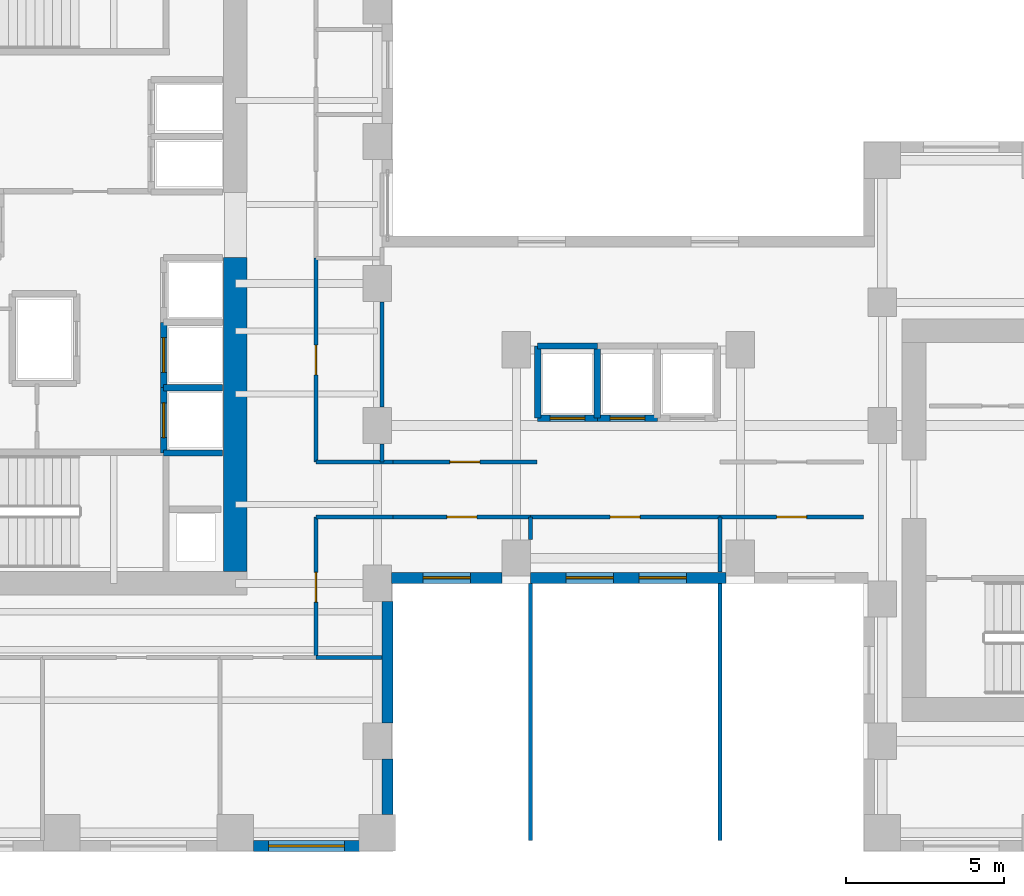
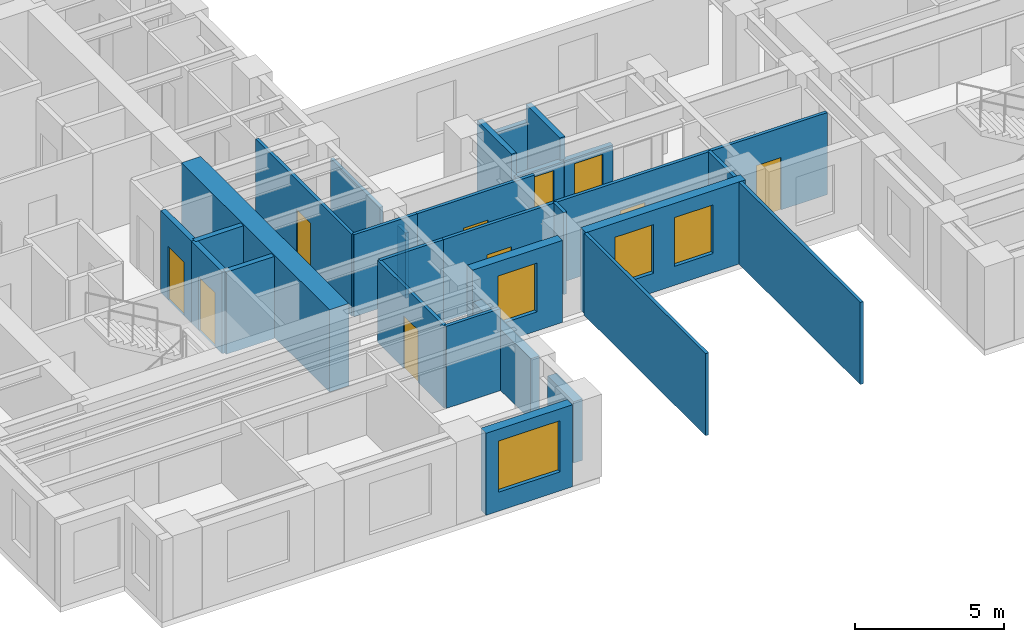
# One storey, part 6 of 13: 30 walls, 10 doors, 4 windows, 14 openings.
"""IFC4 building model written with IfcOpenShell, lengths in metres."""

import ifcopenshell
import ifcopenshell.guid

model = None  # the IFC model being written
_history = None  # IfcOwnerHistory: only IFC2X3 demands one
_inside = {}  # id of a spatial element -> (the spatial element, [elements in it])
_under = {}  # id of a project, library or spatial element -> (it, [spatial elements below it])
_declared = {}  # id of a project -> (the project, [libraries it declares])
_typed = {}  # id of a type object -> (the type object, [elements of that type])
_made_of = {}  # id of a material, layer set ... -> (it, [elements and type objects made of it])


def new_model(schema):
    """Start an empty IFC model of exactly this schema.

    Asked for "IFC4X3", IfcOpenShell would pick the latest addendum, in which some entities
    have other attributes; the version numbers below select the first issue.
    IFC2X3 requires an IfcOwnerHistory on every rooted entity: one is made here for all.
    """
    global model, _history
    if schema == "IFC4X3":
        model = ifcopenshell.file(schema_version=(4, 3, 0, 0))
    else:
        model = ifcopenshell.file(schema=schema)
    _inside.clear()
    _under.clear()
    _declared.clear()
    _typed.clear()
    _made_of.clear()
    _history = None
    if model.schema == "IFC2X3":
        org = make("IfcOrganization", Name="unknown")
        user = make(
            "IfcPersonAndOrganization",
            ThePerson=make("IfcPerson", FamilyName="unknown"),
            TheOrganization=org,
        )
        app = make(
            "IfcApplication",
            ApplicationDeveloper=org,
            Version="unknown",
            ApplicationFullName="unknown",
            ApplicationIdentifier="unknown",
        )
        _history = make(
            "IfcOwnerHistory",
            OwningUser=user,
            OwningApplication=app,
            ChangeAction="ADDED",
            CreationDate=0,
        )
    return model


def make(cls, **values):
    """One entity of the class cls with the attributes given. An attribute that is None is left unset."""
    return model.create_entity(
        cls, **{name: value for name, value in values.items() if value is not None}
    )


def rooted(cls, **values):
    """An entity with a GlobalId (a new one), such as an element, a storey or a relation."""
    return make(cls, GlobalId=ifcopenshell.guid.new(), OwnerHistory=_history, **values)


def si_unit(unit_type, name, prefix=None):
    """IfcSIUnit, for example si_unit("LENGTHUNIT", "METRE", prefix="MILLI")."""
    return make("IfcSIUnit", UnitType=unit_type, Prefix=prefix, Name=name)


def assignment(units):
    """IfcUnitAssignment: the units of a project."""
    return None if units is None else make("IfcUnitAssignment", Units=units)


def point(xyz):
    """IfcCartesianPoint."""
    return None if xyz is None else make("IfcCartesianPoint", Coordinates=xyz)


def direction(xyz):
    """IfcDirection."""
    return None if xyz is None else make("IfcDirection", DirectionRatios=xyz)


def frame(location, z_axis=None, x_axis=None):
    """IfcAxis2Placement3D, a coordinate frame: its origin and axes. An axis left out is left unset."""
    return make(
        "IfcAxis2Placement3D",
        Location=point(location),
        Axis=direction(z_axis),
        RefDirection=direction(x_axis),
    )


def frame_2d(location, x_axis=None):
    """IfcAxis2Placement2D, a coordinate frame in the plane: its origin and x axis."""
    return make(
        "IfcAxis2Placement2D", Location=point(location), RefDirection=direction(x_axis)
    )


def origin():
    """The frame at (0, 0, 0) with its axes left unset."""
    return frame((0.0, 0.0, 0.0))


def place(relative_to, where):
    """IfcLocalPlacement: puts the frame where relative to a parent placement (None: the world)."""
    return make(
        "IfcLocalPlacement", PlacementRelTo=relative_to, RelativePlacement=where
    )


def context(
    kind, dimensions, precision=None, world=None, true_north=None, identifier=None
):
    """IfcGeometricRepresentationContext, for example the 3D "Model" context."""
    return make(
        "IfcGeometricRepresentationContext",
        ContextIdentifier=identifier,
        ContextType=kind,
        CoordinateSpaceDimension=dimensions,
        Precision=precision,
        WorldCoordinateSystem=world,
        TrueNorth=true_north,
    )


def subcontext(parent, identifier, kind, view, scale=None):
    """IfcGeometricRepresentationSubContext, for example "Body" below "Model"."""
    return make(
        "IfcGeometricRepresentationSubContext",
        ContextIdentifier=identifier,
        ContextType=kind,
        ParentContext=parent,
        TargetScale=scale,
        TargetView=view,
    )


def project(units=None, contexts=None):
    """IfcProject with its units and contexts."""
    return rooted(
        "IfcProject",
        Name="project",
        RepresentationContexts=contexts,
        UnitsInContext=assignment(units),
    )


def spatial(cls, under=None, at=None, **own):
    """A site, building, storey or space (cls), placed at a placement, below another one or the project."""
    s = rooted(cls, ObjectPlacement=at, **own)
    if under is not None:
        _under.setdefault(under.id(), (under, []))[1].append(s)
    return s


def profile(cls, at=None, kind="AREA", **sizes):
    """A parametric profile (cls). Its sizes go by their IFC names, for example OverallWidth=200.0."""
    return make(cls, ProfileType=kind, Position=at, **sizes)


def rectangle(**sizes):
    """IfcRectangleProfileDef."""
    return profile("IfcRectangleProfileDef", **sizes)


def extrude(swept, where, along, depth):
    """IfcExtrudedAreaSolid: the profile swept, set in the frame where, extruded along a direction by depth."""
    return make(
        "IfcExtrudedAreaSolid",
        SweptArea=swept,
        Position=where,
        ExtrudedDirection=direction(along),
        Depth=depth,
    )


def shape(context_of_items, identifier, shape_type, items):
    """IfcShapeRepresentation: the items that make up one representation, for example the "Body"."""
    return make(
        "IfcShapeRepresentation",
        ContextOfItems=context_of_items,
        RepresentationIdentifier=identifier,
        RepresentationType=shape_type,
        Items=items,
    )


def source(mapping_origin, context_of_items, identifier, shape_type, items):
    """IfcRepresentationMap: a shape defined once, which mapped items show again and again."""
    return make(
        "IfcRepresentationMap",
        MappingOrigin=mapping_origin,
        MappedRepresentation=shape(context_of_items, identifier, shape_type, items),
    )


def transform(
    local_origin,
    x_axis=None,
    y_axis=None,
    z_axis=None,
    scale=None,
    scale2=None,
    scale3=None,
    uniform=True,
):
    """IfcCartesianTransformationOperator3D, or its non-uniform kind. x_axis, y_axis, z_axis: its Axis1, 2, 3."""
    if uniform:
        return make(
            "IfcCartesianTransformationOperator3D",
            Axis1=direction(x_axis),
            Axis2=direction(y_axis),
            LocalOrigin=point(local_origin),
            Scale=scale,
            Axis3=direction(z_axis),
        )
    return make(
        "IfcCartesianTransformationOperator3DnonUniform",
        Axis1=direction(x_axis),
        Axis2=direction(y_axis),
        LocalOrigin=point(local_origin),
        Scale=scale,
        Axis3=direction(z_axis),
        Scale2=scale2,
        Scale3=scale3,
    )


def mapped(mapping_source, mapping_target):
    """IfcMappedItem: shows the shape of a source again, moved by a transform."""
    return make(
        "IfcMappedItem", MappingSource=mapping_source, MappingTarget=mapping_target
    )


def material(Name=None, Category=None):
    """IfcMaterial."""
    return make("IfcMaterial", Name=Name, Category=Category)


def layer(
    of_material, thickness, ventilated=None, Name=None, Category=None, Priority=None
):
    """IfcMaterialLayer: one layer of a wall or slab, of a material (None: an air gap)."""
    return make(
        "IfcMaterialLayer",
        Material=of_material,
        LayerThickness=thickness,
        IsVentilated=ventilated,
        Name=Name,
        Category=Category,
        Priority=Priority,
    )


def layer_set(layers, Name=None):
    """IfcMaterialLayerSet."""
    return make("IfcMaterialLayerSet", MaterialLayers=layers, LayerSetName=Name)


def made_of(thing, what):
    """Note that an element or type object is made of a material, layer set ...; save() writes the relation."""
    if what is not None:
        _made_of.setdefault(what.id(), (what, []))[1].append(thing)
    return thing


def type_object(cls, material=None, **own):
    """A type object (cls), such as IfcWallType, which elements share."""
    return made_of(rooted(cls, **own), material)


def element(
    cls,
    number,
    at=None,
    inside=None,
    cuts=None,
    type_object=None,
    material=None,
    context=None,
    identifier="Body",
    shape_type=None,
    held_by="IfcProductDefinitionShape",
    body=None,
    shapes=None,
    **own,
):
    """One element of the class cls, such as IfcWall. Its Tag is "e" and its number.

    at: its placement. inside: the storey or other place that contains it. cuts: it is an
    opening in that element (IfcRelVoidsElement). A single representation is given by context,
    identifier, shape_type and body (its items); several are given by shapes. held_by: the class
    of the entity that holds the representations. save() writes the other relations.
    """
    e = rooted(cls, Tag="e%d" % number, ObjectPlacement=at, **own)
    if body is not None:
        shapes = [shape(context, identifier, shape_type, body)]
    if shapes is not None:
        e.Representation = make(held_by, Representations=shapes)
    if inside is not None:
        _inside.setdefault(inside.id(), (inside, []))[1].append(e)
    if cuts is not None:
        rooted(
            "IfcRelVoidsElement", RelatingBuildingElement=cuts, RelatedOpeningElement=e
        )
    if type_object is not None:
        _typed.setdefault(type_object.id(), (type_object, []))[1].append(e)
    return made_of(e, material)


def fill(opening, filler):
    """IfcRelFillsElement: the door or window that sits in an opening."""
    return rooted(
        "IfcRelFillsElement",
        RelatingOpeningElement=opening,
        RelatedBuildingElement=filler,
    )


def aggregate(whole, parts):
    """IfcRelAggregates: a whole, such as a stair, and the parts it consists of."""
    return rooted("IfcRelAggregates", RelatingObject=whole, RelatedObjects=parts)


def save(model, path):
    """Write the relations noted so far, then the file.

    IfcRelAggregates (storeys below a building ...), IfcRelContainedInSpatialStructure (elements
    in a storey), IfcRelDefinesByType, IfcRelAssociatesMaterial and IfcRelDeclares: one each for
    every whole, place, type object, material and project.
    """
    for whole, parts in _under.values():
        aggregate(whole, parts)
    for where, things in _inside.values():
        rooted(
            "IfcRelContainedInSpatialStructure",
            RelatedElements=things,
            RelatingStructure=where,
        )
    for kind, things in _typed.values():
        rooted("IfcRelDefinesByType", RelatedObjects=things, RelatingType=kind)
    for what, things in _made_of.values():
        rooted("IfcRelAssociatesMaterial", RelatedObjects=things, RelatingMaterial=what)
    for by, libraries in _declared.values():
        rooted("IfcRelDeclares", RelatingContext=by, RelatedDefinitions=libraries)
    model.write(path)


model = new_model("IFC4")

# Units and contexts
model_context = context("Model", 3, precision=1e-05, world=origin(), true_north=direction((0.0, 1.0)))
body_context = subcontext(model_context, "Body", "Model", "MODEL_VIEW")
ifc_project = project(units=[si_unit("LENGTHUNIT", "METRE"), si_unit("AREAUNIT", "SQUARE_METRE"), si_unit("VOLUMEUNIT", "CUBIC_METRE"), si_unit("PLANEANGLEUNIT", "RADIAN"), si_unit("MASSUNIT", "GRAM", prefix="KILO")], contexts=[model_context])

# Site, building, storey
site_placement = place(None, origin())
site = spatial("IfcSite", under=ifc_project, at=site_placement, CompositionType="ELEMENT")
building_placement = place(site_placement, origin())
building = spatial("IfcBuilding", under=site, at=building_placement, Name="Kharzan Plaza Tower", CompositionType="ELEMENT")
storey_placement = place(building_placement, frame((0.0, 0.0, 95.39990234375)))
storey = spatial("IfcBuildingStorey", under=building, at=storey_placement, Name="L25", CompositionType="ELEMENT", Elevation=95.39990234375)

# Wall, opening, window
ifc_material_1 = material(Name="Concrete C40/50", Category="concrete")
ifc_layer_1 = layer(ifc_material_1, 0.35009765625)
ifc_layer_set_1 = layer_set([ifc_layer_1], Name="Concrete C40/50")
wall_type_1 = type_object("IfcWallType", Name="WL-EXT-MAS-Z2", PredefinedType="SOLIDWALL", material=ifc_layer_set_1)
wall_1_placement = place(storey_placement, frame((15.072998046875, 0.175048828125, 0.0), z_axis=(0.0, 0.0, 1.0), x_axis=(1.0, 0.0, 0.0)))
wall_1 = element("IfcWall", 1, at=wall_1_placement, inside=storey, type_object=wall_type_1, Name="L25 Masonry-Frame Exterior Wall 31", PredefinedType="SOLIDWALL", context=body_context, shape_type="SweptSolid", body=[
    extrude(rectangle(XDim=3.35400390625, YDim=0.35009765625, at=frame_2d((1.677001953125, 0.0))), origin(), (0.0, 0.0, 1.0), 3.364990234375),
])
opening_1_placement = place(wall_1_placement, frame((0.47705078125, 0.0, 0.780029296875)))
opening_1 = element("IfcOpeningElement", 2, at=opening_1_placement, cuts=wall_1, Name="Opening W2", PredefinedType="OPENING", context=body_context, shape_type="SweptSolid", body=[
    extrude(rectangle(XDim=2.39990234375, YDim=2.10009765625, at=frame_2d((1.199951171875, 1.050048828125))), frame((0.0, 0.18505859375, 0.0), z_axis=(0.0, -1.0, 0.0), x_axis=(1.0, 0.0, 0.0)), (0.0, 0.0, 1.0), 0.3701171875),
])
ifc_material_2 = material(Name="Low-E Double Glazing", Category="glass")
window_type_1 = type_object("IfcWindowType", Name="WN-REC-2400x2100", PartitioningType="SINGLE_PANEL", PredefinedType="WINDOW", material=ifc_material_2)
shared_shape_1 = source(origin(), body_context, "Body", "SweptSolid", [
    extrude(rectangle(XDim=2.39990234375, YDim=2.10009765625, at=frame_2d((1.199951171875, 1.050048828125))), frame((0.0, 0.030029296875, 0.0), z_axis=(0.0, -1.0, 0.0), x_axis=(1.0, 0.0, 0.0)), (0.0, 0.0, 1.0), 0.06005859375),
])
window_1_placement = place(opening_1_placement, origin())
window_1 = element("IfcWindow", 3, at=window_1_placement, inside=storey, type_object=window_type_1, Name="L25 Wide Recessed Solar-Control Window 31-1", OverallHeight=2.10009765625, OverallWidth=2.39990234375, PartitioningType="SINGLE_PANEL", PredefinedType="WINDOW", context=body_context, shape_type="MappedRepresentation", body=[
    mapped(shared_shape_1, transform((0.0, 0.0, 0.0), x_axis=(1.0, 0.0, 0.0), y_axis=(0.0, 1.0, 0.0), z_axis=(0.0, 0.0, 1.0))),
])
fill(opening_1, window_1)

wall_2_placement = place(storey_placement, frame((19.447998046875, 8.675048828125, 0.0), z_axis=(0.0, 0.0, 1.0), x_axis=(1.0, 0.0, 0.0)))
wall_2 = element("IfcWall", 4, at=wall_2_placement, inside=storey, type_object=wall_type_1, Name="L25 Masonry-Frame Exterior Wall 34", PredefinedType="SOLIDWALL", context=body_context, shape_type="SweptSolid", body=[
    extrude(rectangle(XDim=3.50390625, YDim=0.35009765625, at=frame_2d((1.751953125, 0.0))), origin(), (0.0, 0.0, 1.0), 3.364990234375),
])
opening_2_placement = place(wall_2_placement, frame((1.001953125, 0.0, 0.780029296875)))
opening_2 = element("IfcOpeningElement", 5, at=opening_2_placement, cuts=wall_2, Name="Opening W5", PredefinedType="OPENING", context=body_context, shape_type="SweptSolid", body=[
    extrude(rectangle(XDim=1.5, YDim=2.0, at=frame_2d((0.75, 1.0))), frame((0.0, 0.18505859375, 0.0), z_axis=(0.0, -1.0, 0.0), x_axis=(1.0, 0.0, 0.0)), (0.0, 0.0, 1.0), 0.3701171875),
])
window_type_2 = type_object("IfcWindowType", Name="WN-SLT-1500x2000", PartitioningType="SINGLE_PANEL", PredefinedType="WINDOW", material=ifc_material_2)
shared_shape_2 = source(origin(), body_context, "Body", "SweptSolid", [
    extrude(rectangle(XDim=1.5, YDim=2.0, at=frame_2d((0.75, 1.0))), frame((0.0, 0.030029296875, 0.0), z_axis=(0.0, -1.0, 0.0), x_axis=(1.0, 0.0, 0.0)), (0.0, 0.0, 1.0), 0.06005859375),
])
window_2_placement = place(opening_2_placement, origin())
window_2 = element("IfcWindow", 6, at=window_2_placement, inside=storey, type_object=window_type_2, Name="L25 Recessed Solar-Control Window 34-1", OverallHeight=2.0, OverallWidth=1.5, PartitioningType="SINGLE_PANEL", PredefinedType="WINDOW", context=body_context, shape_type="MappedRepresentation", body=[
    mapped(shared_shape_2, transform((0.0, 0.0, 0.0), x_axis=(1.0, 0.0, 0.0), y_axis=(0.0, 1.0, 0.0), z_axis=(0.0, 0.0, 1.0))),
])
fill(opening_2, window_2)

# Wall, openings, windows
wall_3_placement = place(storey_placement, frame((23.847900390625, 8.675048828125, 0.0), z_axis=(0.0, 0.0, 1.0), x_axis=(1.0, 0.0, 0.0)))
wall_3 = element("IfcWall", 7, at=wall_3_placement, inside=storey, type_object=wall_type_1, Name="L25 Masonry-Frame Exterior Wall 35", PredefinedType="SOLIDWALL", context=body_context, shape_type="SweptSolid", body=[
    extrude(rectangle(XDim=6.2041015625, YDim=0.35009765625, at=frame_2d((3.10205078125, 0.0))), origin(), (0.0, 0.0, 1.0), 3.364990234375),
])
opening_3_placement = place(wall_3_placement, frame((1.130615234375, 0.0, 0.780029296875)))
opening_3 = element("IfcOpeningElement", 8, at=opening_3_placement, cuts=wall_3, Name="Opening W5", PredefinedType="OPENING", context=body_context, shape_type="SweptSolid", body=[
    extrude(rectangle(XDim=1.5, YDim=2.0, at=frame_2d((0.75, 1.0))), frame((0.0, 0.18505859375, 0.0), z_axis=(0.0, -1.0, 0.0), x_axis=(1.0, 0.0, 0.0)), (0.0, 0.0, 1.0), 0.3701171875),
])
opening_4_placement = place(wall_3_placement, frame((3.44140625, 0.0, 0.780029296875)))
opening_4 = element("IfcOpeningElement", 9, at=opening_4_placement, cuts=wall_3, Name="Opening W5", PredefinedType="OPENING", context=body_context, shape_type="SweptSolid", body=[
    extrude(rectangle(XDim=1.5, YDim=2.0, at=frame_2d((0.75, 1.0))), frame((0.0, 0.18505859375, 0.0), z_axis=(0.0, -1.0, 0.0), x_axis=(1.0, 0.0, 0.0)), (0.0, 0.0, 1.0), 0.3701171875),
])
window_3_placement = place(opening_3_placement, origin())
window_3 = element("IfcWindow", 10, at=window_3_placement, inside=storey, type_object=window_type_2, Name="L25 Recessed Solar-Control Window 35-1", OverallHeight=2.0, OverallWidth=1.5, PartitioningType="SINGLE_PANEL", PredefinedType="WINDOW", context=body_context, shape_type="MappedRepresentation", body=[
    mapped(shared_shape_2, transform((0.0, 0.0, 0.0), x_axis=(1.0, 0.0, 0.0), y_axis=(0.0, 1.0, 0.0), z_axis=(0.0, 0.0, 1.0))),
])
fill(opening_3, window_3)
window_4_placement = place(opening_4_placement, origin())
window_4 = element("IfcWindow", 11, at=window_4_placement, inside=storey, type_object=window_type_2, Name="L25 Recessed Solar-Control Window 35-2", OverallHeight=2.0, OverallWidth=1.5, PartitioningType="SINGLE_PANEL", PredefinedType="WINDOW", context=body_context, shape_type="MappedRepresentation", body=[
    mapped(shared_shape_2, transform((0.0, 0.0, 0.0), x_axis=(1.0, 0.0, 0.0), y_axis=(0.0, 1.0, 0.0), z_axis=(0.0, 0.0, 1.0))),
])
fill(opening_4, window_4)

# Wall, opening, door
ifc_material_3 = material(Name="Fire-Rated Gypsum Board Partition", Category="gypsum")
ifc_layer_2 = layer(ifc_material_3, 0.125)
ifc_layer_set_2 = layer_set([ifc_layer_2], Name="Fire-Rated Gypsum Board Partition")
wall_type_2 = type_object("IfcWallType", Name="WL-INT-PART-125", PredefinedType="PARTITIONING", material=ifc_layer_set_2)
wall_4_placement = place(storey_placement, frame((17.050048828125, 12.35009765625, 0.0), z_axis=(0.0, 0.0, 1.0), x_axis=(0.0, 1.0, 0.0)))
wall_4 = element("IfcWall", 12, at=wall_4_placement, inside=storey, type_object=wall_type_2, Name="L25 Interior Partition SH-AEWN1", PredefinedType="PARTITIONING", context=body_context, shape_type="SweptSolid", body=[
    extrude(rectangle(XDim=6.449951171875, YDim=0.125, at=frame_2d((3.22509765625, 0.0))), origin(), (0.0, 0.0, 1.0), 3.364990234375),
])
opening_5_placement = place(wall_4_placement, frame((2.75, 0.0, 0.0)))
opening_5 = element("IfcOpeningElement", 13, at=opening_5_placement, cuts=wall_4, Name="Opening OD1", PredefinedType="OPENING", context=body_context, shape_type="SweptSolid", body=[
    extrude(rectangle(XDim=0.949951171875, YDim=2.14990234375, at=frame_2d((0.47509765625, 1.074951171875))), frame((0.0, 0.072509765625, 0.0), z_axis=(0.0, -1.0, 0.0), x_axis=(1.0, 0.0, 0.0)), (0.0, 0.0, 1.0), 0.14501953125),
])
ifc_material_4 = material(Name="Acoustic Solid-Core Stained Oak", Category="timber")
door_type_1 = type_object("IfcDoorType", Name="DR-OFF-SINGLE", OperationType="NOTDEFINED", PredefinedType="DOOR", material=ifc_material_4)
shared_shape_3 = source(origin(), body_context, "Body", "SweptSolid", [
    extrude(rectangle(XDim=0.949951171875, YDim=2.14990234375, at=frame_2d((0.47509765625, 1.074951171875))), frame((0.0, 0.02490234375, 0.0), z_axis=(0.0, -1.0, 0.0), x_axis=(1.0, 0.0, 0.0)), (0.0, 0.0, 1.0), 0.050048828125),
])
door_1_placement = place(opening_5_placement, origin())
door_1 = element("IfcDoor", 14, at=door_1_placement, inside=storey, type_object=door_type_1, Name="L25 Slot Collaboration Door", OperationType="SINGLE_SWING_RIGHT", OverallHeight=2.14990234375, OverallWidth=0.949951171875, PredefinedType="DOOR", context=body_context, shape_type="MappedRepresentation", body=[
    mapped(shared_shape_3, transform((0.0, 0.0, 0.0), x_axis=(1.0, 0.0, 0.0), y_axis=(0.0, 1.0, 0.0), z_axis=(0.0, 0.0, 1.0))),
])
fill(opening_5, door_1)

wall_5_placement = place(storey_placement, frame((17.050048828125, 6.14990234375, 0.0), z_axis=(0.0, 0.0, 1.0), x_axis=(0.0, 1.0, 0.0)))
wall_5 = element("IfcWall", 15, at=wall_5_placement, inside=storey, type_object=wall_type_2, Name="L25 Interior Partition SH-AEWS", PredefinedType="PARTITIONING", context=body_context, shape_type="SweptSolid", body=[
    extrude(rectangle(XDim=4.4501953125, YDim=0.125, at=frame_2d((2.22509765625, 0.0))), origin(), (0.0, 0.0, 1.0), 3.364990234375),
])
opening_6_placement = place(wall_5_placement, frame((1.75, 0.0, 0.0)))
opening_6 = element("IfcOpeningElement", 16, at=opening_6_placement, cuts=wall_5, Name="Opening OD1", PredefinedType="OPENING", context=body_context, shape_type="SweptSolid", body=[
    extrude(rectangle(XDim=0.949951171875, YDim=2.14990234375, at=frame_2d((0.47509765625, 1.074951171875))), frame((0.0, 0.072509765625, 0.0), z_axis=(0.0, -1.0, 0.0), x_axis=(1.0, 0.0, 0.0)), (0.0, 0.0, 1.0), 0.14501953125),
])
door_2_placement = place(opening_6_placement, origin())
door_2 = element("IfcDoor", 17, at=door_2_placement, inside=storey, type_object=door_type_1, Name="L25 Slot South Office Door", OperationType="SINGLE_SWING_LEFT", OverallHeight=2.14990234375, OverallWidth=0.949951171875, PredefinedType="DOOR", context=body_context, shape_type="MappedRepresentation", body=[
    mapped(shared_shape_3, transform((0.0, 0.0, 0.0), x_axis=(1.0, 0.0, 0.0), y_axis=(0.0, 1.0, 0.0), z_axis=(0.0, 0.0, 1.0))),
])
fill(opening_6, door_2)

wall_6_placement = place(storey_placement, frame((19.5, 12.35009765625, 0.0), z_axis=(0.0, 0.0, 1.0), x_axis=(1.0, 0.0, 0.0)))
wall_6 = element("IfcWall", 18, at=wall_6_placement, inside=storey, type_object=wall_type_2, Name="L25 Interior Partition SH-SPNW1", PredefinedType="PARTITIONING", context=body_context, shape_type="SweptSolid", body=[
    extrude(rectangle(XDim=4.550048828125, YDim=0.125, at=frame_2d((2.27490234375, 0.0))), origin(), (0.0, 0.0, 1.0), 3.364990234375),
])
opening_7_placement = place(wall_6_placement, frame((1.800048828125, 0.0, 0.0)))
opening_7 = element("IfcOpeningElement", 19, at=opening_7_placement, cuts=wall_6, Name="Opening OD1", PredefinedType="OPENING", context=body_context, shape_type="SweptSolid", body=[
    extrude(rectangle(XDim=0.949951171875, YDim=2.14990234375, at=frame_2d((0.47509765625, 1.074951171875))), frame((0.0, 0.072509765625, 0.0), z_axis=(0.0, -1.0, 0.0), x_axis=(1.0, 0.0, 0.0)), (0.0, 0.0, 1.0), 0.14501953125),
])
door_3_placement = place(opening_7_placement, origin())
door_3 = element("IfcDoor", 20, at=door_3_placement, inside=storey, type_object=door_type_1, Name="L25 North-West Spine Door", OperationType="SINGLE_SWING_LEFT", OverallHeight=2.14990234375, OverallWidth=0.949951171875, PredefinedType="DOOR", context=body_context, shape_type="MappedRepresentation", body=[
    mapped(shared_shape_3, transform((0.0, 0.0, 0.0), x_axis=(1.0, 0.0, 0.0), y_axis=(0.0, 1.0, 0.0), z_axis=(0.0, 0.0, 1.0))),
])
fill(opening_7, door_3)

wall_7_placement = place(storey_placement, frame((19.5, 10.60009765625, 0.0), z_axis=(0.0, 0.0, 1.0), x_axis=(1.0, 0.0, 0.0)))
wall_7 = element("IfcWall", 21, at=wall_7_placement, inside=storey, type_object=wall_type_2, Name="L25 Interior Partition SH-SPS1", PredefinedType="PARTITIONING", context=body_context, shape_type="SweptSolid", body=[
    extrude(rectangle(XDim=4.35009765625, YDim=0.125, at=frame_2d((2.175048828125, 0.0))), origin(), (0.0, 0.0, 1.0), 3.364990234375),
])
opening_8_placement = place(wall_7_placement, frame((1.699951171875, 0.0, 0.0)))
opening_8 = element("IfcOpeningElement", 22, at=opening_8_placement, cuts=wall_7, Name="Opening OD1", PredefinedType="OPENING", context=body_context, shape_type="SweptSolid", body=[
    extrude(rectangle(XDim=0.949951171875, YDim=2.14990234375, at=frame_2d((0.47509765625, 1.074951171875))), frame((0.0, 0.072509765625, 0.0), z_axis=(0.0, -1.0, 0.0), x_axis=(1.0, 0.0, 0.0)), (0.0, 0.0, 1.0), 0.14501953125),
])
door_4_placement = place(opening_8_placement, origin())
door_4 = element("IfcDoor", 23, at=door_4_placement, inside=storey, type_object=door_type_1, Name="L25 Spine Studio 1 Door", OperationType="SINGLE_SWING_RIGHT", OverallHeight=2.14990234375, OverallWidth=0.949951171875, PredefinedType="DOOR", context=body_context, shape_type="MappedRepresentation", body=[
    mapped(shared_shape_3, transform((0.0, 0.0, 0.0), x_axis=(1.0, 0.0, 0.0), y_axis=(0.0, 1.0, 0.0), z_axis=(0.0, 0.0, 1.0))),
])
fill(opening_8, door_4)

wall_8_placement = place(storey_placement, frame((23.85009765625, 10.60009765625, 0.0), z_axis=(0.0, 0.0, 1.0), x_axis=(1.0, 0.0, 0.0)))
wall_8 = element("IfcWall", 24, at=wall_8_placement, inside=storey, type_object=wall_type_2, Name="L25 Interior Partition SH-SPS2", PredefinedType="PARTITIONING", context=body_context, shape_type="SweptSolid", body=[
    extrude(rectangle(XDim=6.0, YDim=0.125, at=frame_2d((3.0, 0.0))), origin(), (0.0, 0.0, 1.0), 3.364990234375),
])
opening_9_placement = place(wall_8_placement, frame((2.52490234375, 0.0, 0.0)))
opening_9 = element("IfcOpeningElement", 25, at=opening_9_placement, cuts=wall_8, Name="Opening OD1", PredefinedType="OPENING", context=body_context, shape_type="SweptSolid", body=[
    extrude(rectangle(XDim=0.949951171875, YDim=2.14990234375, at=frame_2d((0.47509765625, 1.074951171875))), frame((0.0, 0.072509765625, 0.0), z_axis=(0.0, -1.0, 0.0), x_axis=(1.0, 0.0, 0.0)), (0.0, 0.0, 1.0), 0.14501953125),
])
door_5_placement = place(opening_9_placement, origin())
door_5 = element("IfcDoor", 26, at=door_5_placement, inside=storey, type_object=door_type_1, Name="L25 Spine Studio 2 Door", OperationType="SINGLE_SWING_LEFT", OverallHeight=2.14990234375, OverallWidth=0.949951171875, PredefinedType="DOOR", context=body_context, shape_type="MappedRepresentation", body=[
    mapped(shared_shape_3, transform((0.0, 0.0, 0.0), x_axis=(1.0, 0.0, 0.0), y_axis=(0.0, 1.0, 0.0), z_axis=(0.0, 0.0, 1.0))),
])
fill(opening_9, door_5)

wall_9_placement = place(storey_placement, frame((29.85009765625, 10.60009765625, 0.0), z_axis=(0.0, 0.0, 1.0), x_axis=(1.0, 0.0, 0.0)))
wall_9 = element("IfcWall", 27, at=wall_9_placement, inside=storey, type_object=wall_type_2, Name="L25 Interior Partition SH-SPS3", PredefinedType="PARTITIONING", context=body_context, shape_type="SweptSolid", body=[
    extrude(rectangle(XDim=4.5498046875, YDim=0.125, at=frame_2d((2.27490234375, 0.0))), origin(), (0.0, 0.0, 1.0), 3.364990234375),
])
opening_10_placement = place(wall_9_placement, frame((1.800048828125, 0.0, 0.0)))
opening_10 = element("IfcOpeningElement", 28, at=opening_10_placement, cuts=wall_9, Name="Opening OD1", PredefinedType="OPENING", context=body_context, shape_type="SweptSolid", body=[
    extrude(rectangle(XDim=0.949951171875, YDim=2.14990234375, at=frame_2d((0.47509765625, 1.074951171875))), frame((0.0, 0.072509765625, 0.0), z_axis=(0.0, -1.0, 0.0), x_axis=(1.0, 0.0, 0.0)), (0.0, 0.0, 1.0), 0.14501953125),
])
door_6_placement = place(opening_10_placement, origin())
door_6 = element("IfcDoor", 29, at=door_6_placement, inside=storey, type_object=door_type_1, Name="L25 Spine Studio 3 Door", OperationType="SINGLE_SWING_RIGHT", OverallHeight=2.14990234375, OverallWidth=0.949951171875, PredefinedType="DOOR", context=body_context, shape_type="MappedRepresentation", body=[
    mapped(shared_shape_3, transform((0.0, 0.0, 0.0), x_axis=(1.0, 0.0, 0.0), y_axis=(0.0, 1.0, 0.0), z_axis=(0.0, 0.0, 1.0))),
])
fill(opening_10, door_6)

ifc_layer_3 = layer(ifc_material_1, 0.199951171875)
ifc_layer_set_3 = layer_set([ifc_layer_3], Name="Concrete C40/50")
wall_type_3 = type_object("IfcWallType", Name="WL-INT-SHAFT-200", PredefinedType="PARTITIONING", material=ifc_layer_set_3)
wall_10_placement = place(storey_placement, frame((12.22998046875, 12.6298828125, 0.0), z_axis=(0.0, 0.0, 1.0), x_axis=(0.0, 1.0, 0.0)))
wall_10 = element("IfcWall", 30, at=wall_10_placement, inside=storey, type_object=wall_type_3, Name="L25 Interior Partition SHF-PL-H1-W", PredefinedType="PARTITIONING", context=body_context, shape_type="SweptSolid", body=[
    extrude(rectangle(XDim=2.070068359375, YDim=0.199951171875, at=frame_2d((1.03515625, 0.0))), origin(), (0.0, 0.0, 1.0), 3.364990234375),
])
opening_11_placement = place(wall_10_placement, frame((0.485107421875, 0.0, 0.0)))
opening_11 = element("IfcOpeningElement", 31, at=opening_11_placement, cuts=wall_10, Name="Opening LD", PredefinedType="OPENING", context=body_context, shape_type="SweptSolid", body=[
    extrude(rectangle(XDim=1.10009765625, YDim=2.199951171875, at=frame_2d((0.550048828125, 1.10009765625))), frame((0.0, 0.10986328125, 0.0), z_axis=(0.0, -1.0, 0.0), x_axis=(1.0, 0.0, 0.0)), (0.0, 0.0, 1.0), 0.219970703125),
])
ifc_material_5 = material(Name="Brushed Stainless Steel", Category="steel")
door_type_2 = type_object("IfcDoorType", Name="DR-LIFT-SLIDE", OperationType="SLIDING_TO_LEFT", PredefinedType="DOOR", material=ifc_material_5)
shared_shape_4 = source(origin(), body_context, "Body", "SweptSolid", [
    extrude(rectangle(XDim=1.10009765625, YDim=2.199951171875, at=frame_2d((0.550048828125, 1.10009765625))), frame((0.0, 0.02490234375, 0.0), z_axis=(0.0, -1.0, 0.0), x_axis=(1.0, 0.0, 0.0)), (0.0, 0.0, 1.0), 0.050048828125),
])
door_7_placement = place(opening_11_placement, origin())
door_7 = element("IfcDoor", 32, at=door_7_placement, inside=storey, type_object=door_type_2, Name="L25 High-Rise Passenger Lift PL-H1 Sliding Landing Door", OperationType="SLIDING_TO_LEFT", OverallHeight=2.199951171875, OverallWidth=1.10009765625, PredefinedType="DOOR", context=body_context, shape_type="MappedRepresentation", body=[
    mapped(shared_shape_4, transform((0.0, 0.0, 0.0), x_axis=(1.0, 0.0, 0.0), y_axis=(0.0, 1.0, 0.0), z_axis=(0.0, 0.0, 1.0))),
])
fill(opening_11, door_7)

wall_11_placement = place(storey_placement, frame((12.22998046875, 14.699951171875, 0.0), z_axis=(0.0, 0.0, 1.0), x_axis=(0.0, 1.0, 0.0)))
wall_11 = element("IfcWall", 33, at=wall_11_placement, inside=storey, type_object=wall_type_3, Name="L25 Interior Partition SHF-PL-H2-W", PredefinedType="PARTITIONING", context=body_context, shape_type="SweptSolid", body=[
    extrude(rectangle(XDim=2.070068359375, YDim=0.199951171875, at=frame_2d((1.03515625, 0.0))), origin(), (0.0, 0.0, 1.0), 3.364990234375),
])
opening_12_placement = place(wall_11_placement, frame((0.485107421875, 0.0, 0.0)))
opening_12 = element("IfcOpeningElement", 34, at=opening_12_placement, cuts=wall_11, Name="Opening LD", PredefinedType="OPENING", context=body_context, shape_type="SweptSolid", body=[
    extrude(rectangle(XDim=1.10009765625, YDim=2.199951171875, at=frame_2d((0.550048828125, 1.10009765625))), frame((0.0, 0.10986328125, 0.0), z_axis=(0.0, -1.0, 0.0), x_axis=(1.0, 0.0, 0.0)), (0.0, 0.0, 1.0), 0.219970703125),
])
door_8_placement = place(opening_12_placement, origin())
door_8 = element("IfcDoor", 35, at=door_8_placement, inside=storey, type_object=door_type_2, Name="L25 High-Rise Passenger Lift PL-H2 Sliding Landing Door", OperationType="SLIDING_TO_LEFT", OverallHeight=2.199951171875, OverallWidth=1.10009765625, PredefinedType="DOOR", context=body_context, shape_type="MappedRepresentation", body=[
    mapped(shared_shape_4, transform((0.0, 0.0, 0.0), x_axis=(1.0, 0.0, 0.0), y_axis=(0.0, 1.0, 0.0), z_axis=(0.0, 0.0, 1.0))),
])
fill(opening_12, door_8)

wall_12_placement = place(storey_placement, frame((24.080078125, 13.72998046875, 0.0), z_axis=(0.0, 0.0, 1.0), x_axis=(1.0, 0.0, 0.0)))
wall_12 = element("IfcWall", 36, at=wall_12_placement, inside=storey, type_object=wall_type_3, Name="L25 Interior Partition SHF-PL-M1-S", PredefinedType="PARTITIONING", context=body_context, shape_type="SweptSolid", body=[
    extrude(rectangle(XDim=1.889892578125, YDim=0.199951171875, at=frame_2d((0.94482421875, 0.0))), origin(), (0.0, 0.0, 1.0), 2.446044921875),
])
opening_13_placement = place(wall_12_placement, frame((0.39501953125, 0.0, 0.0)))
opening_13 = element("IfcOpeningElement", 37, at=opening_13_placement, cuts=wall_12, Name="Opening LD", PredefinedType="OPENING", context=body_context, shape_type="SweptSolid", body=[
    extrude(rectangle(XDim=1.10009765625, YDim=2.199951171875, at=frame_2d((0.550048828125, 1.10009765625))), frame((0.0, 0.10986328125, 0.0), z_axis=(0.0, -1.0, 0.0), x_axis=(1.0, 0.0, 0.0)), (0.0, 0.0, 1.0), 0.219970703125),
])
door_9_placement = place(opening_13_placement, origin())
door_9 = element("IfcDoor", 38, at=door_9_placement, inside=storey, type_object=door_type_2, Name="L25 Mid-Rise Passenger Lift PL-M1 Sliding Landing Door", OperationType="SLIDING_TO_LEFT", OverallHeight=2.199951171875, OverallWidth=1.10009765625, PredefinedType="DOOR", context=body_context, shape_type="MappedRepresentation", body=[
    mapped(shared_shape_4, transform((0.0, 0.0, 0.0), x_axis=(1.0, 0.0, 0.0), y_axis=(0.0, 1.0, 0.0), z_axis=(0.0, 0.0, 1.0))),
])
fill(opening_13, door_9)

wall_13_placement = place(storey_placement, frame((25.97998046875, 13.72998046875, 0.0), z_axis=(0.0, 0.0, 1.0), x_axis=(1.0, 0.0, 0.0)))
wall_13 = element("IfcWall", 39, at=wall_13_placement, inside=storey, type_object=wall_type_3, Name="L25 Interior Partition SHF-PL-M2-S", PredefinedType="PARTITIONING", context=body_context, shape_type="SweptSolid", body=[
    extrude(rectangle(XDim=1.89013671875, YDim=0.199951171875, at=frame_2d((0.945068359375, 0.0))), origin(), (0.0, 0.0, 1.0), 2.446044921875),
])
opening_14_placement = place(wall_13_placement, frame((0.39501953125, 0.0, 0.0)))
opening_14 = element("IfcOpeningElement", 40, at=opening_14_placement, cuts=wall_13, Name="Opening LD", PredefinedType="OPENING", context=body_context, shape_type="SweptSolid", body=[
    extrude(rectangle(XDim=1.10009765625, YDim=2.199951171875, at=frame_2d((0.550048828125, 1.10009765625))), frame((0.0, 0.10986328125, 0.0), z_axis=(0.0, -1.0, 0.0), x_axis=(1.0, 0.0, 0.0)), (0.0, 0.0, 1.0), 0.219970703125),
])
door_10_placement = place(opening_14_placement, origin())
door_10 = element("IfcDoor", 41, at=door_10_placement, inside=storey, type_object=door_type_2, Name="L25 Mid-Rise Passenger Lift PL-M2 Sliding Landing Door", OperationType="SLIDING_TO_LEFT", OverallHeight=2.199951171875, OverallWidth=1.10009765625, PredefinedType="DOOR", context=body_context, shape_type="MappedRepresentation", body=[
    mapped(shared_shape_4, transform((0.0, 0.0, 0.0), x_axis=(1.0, 0.0, 0.0), y_axis=(0.0, 1.0, 0.0), z_axis=(0.0, 0.0, 1.0))),
])
fill(opening_14, door_10)

# Walls
shared_shape_5 = source(origin(), body_context, "Body", "SweptSolid", [
    extrude(rectangle(XDim=2.2900390625, YDim=0.199951171875, at=frame_2d((1.14501953125, 0.0))), origin(), (0.0, 0.0, 1.0), 3.364990234375),
])
for number, where, z_axis, x_axis, name in (
    (42, (25.969970703125, 13.72998046875, 0.0), (0.0, 0.0, 1.0), (0.0, 1.0, 0.0), "L25 Interior Partition SHF-PL-M1-E"),
    (43, (24.080078125, 13.72998046875, 0.0), (0.0, 0.0, 1.0), (0.0, 1.0, 0.0), "L25 Interior Partition SHF-PL-M1-W"),
):
    element("IfcWall", number, at=place(storey_placement, frame(where, z_axis=z_axis, x_axis=x_axis)), inside=storey, type_object=wall_type_3, Name=name, PredefinedType="PARTITIONING", context=body_context, shape_type="MappedRepresentation", body=[
        mapped(shared_shape_5, transform((0.0, 0.0, 0.0), x_axis=(1.0, 0.0, 0.0), y_axis=(0.0, 1.0, 0.0), z_axis=(0.0, 0.0, 1.0))),
    ])
shared_shape_6 = source(origin(), body_context, "Body", "SweptSolid", [
    extrude(rectangle(XDim=2.097900390625, YDim=0.125, at=frame_2d((1.048828125, 0.0))), origin(), (0.0, 0.0, 1.0), 3.364990234375),
])
wall_14_placement = place(storey_placement, frame((17.050048828125, 6.14990234375, 0.0), z_axis=(0.0, 0.0, 1.0), x_axis=(1.0, 0.0, 0.0)))
element("IfcWall", 44, at=wall_14_placement, inside=storey, type_object=wall_type_2, Name="L25 Interior Partition SH-SSE-3", PredefinedType="PARTITIONING", context=body_context, shape_type="MappedRepresentation", body=[
    mapped(shared_shape_6, transform((0.0, 0.0, 0.0), x_axis=(1.0, 0.0, 0.0), y_axis=(0.0, 1.0, 0.0), z_axis=(0.0, 0.0, 1.0))),
])
shared_shape_7 = source(origin(), body_context, "Body", "SweptSolid", [
    extrude(rectangle(XDim=2.449951171875, YDim=0.125, at=frame_2d((1.22509765625, 0.0))), origin(), (0.0, 0.0, 1.0), 3.364990234375),
])
for number, where, z_axis, x_axis, name in (
    (45, (17.050048828125, 12.35009765625, 0.0), (0.0, 0.0, 1.0), (1.0, 0.0, 0.0), "L25 Interior Partition SH-SPNW0"),
    (46, (17.050048828125, 10.60009765625, 0.0), (0.0, 0.0, 1.0), (1.0, 0.0, 0.0), "L25 Interior Partition SH-SPS0"),
):
    element("IfcWall", number, at=place(storey_placement, frame(where, z_axis=z_axis, x_axis=x_axis)), inside=storey, type_object=wall_type_2, Name=name, PredefinedType="PARTITIONING", context=body_context, shape_type="MappedRepresentation", body=[
        mapped(shared_shape_7, transform((0.0, 0.0, 0.0), x_axis=(1.0, 0.0, 0.0), y_axis=(0.0, 1.0, 0.0), z_axis=(0.0, 0.0, 1.0))),
    ])
shared_shape_8 = source(origin(), body_context, "Body", "SweptSolid", [
    extrude(rectangle(XDim=8.14794921875, YDim=0.125, at=frame_2d((4.073974609375, 0.0))), origin(), (0.0, 0.0, 1.0), 3.364990234375),
])
for number, where, z_axis, x_axis, name in (
    (47, (23.85009765625, 0.35009765625, 0.0), (0.0, 0.0, 1.0), (0.0, 1.0, 0.0), "L25 Interior Partition SH-SPSV1-S1"),
    (48, (29.85009765625, 0.35009765625, 0.0), (0.0, 0.0, 1.0), (0.0, 1.0, 0.0), "L25 Interior Partition SH-SPSV2-S1"),
):
    element("IfcWall", number, at=place(storey_placement, frame(where, z_axis=z_axis, x_axis=x_axis)), inside=storey, type_object=wall_type_2, Name=name, PredefinedType="PARTITIONING", context=body_context, shape_type="MappedRepresentation", body=[
        mapped(shared_shape_8, transform((0.0, 0.0, 0.0), x_axis=(1.0, 0.0, 0.0), y_axis=(0.0, 1.0, 0.0), z_axis=(0.0, 0.0, 1.0))),
    ])
shared_shape_9 = source(origin(), body_context, "Body", "SweptSolid", [
    extrude(rectangle(XDim=1.748046875, YDim=0.125, at=frame_2d((0.8740234375, 0.0))), origin(), (0.0, 0.0, 1.0), 3.364990234375),
])
wall_15_placement = place(storey_placement, frame((29.85009765625, 8.85205078125, 0.0), z_axis=(0.0, 0.0, 1.0), x_axis=(0.0, 1.0, 0.0)))
element("IfcWall", 49, at=wall_15_placement, inside=storey, type_object=wall_type_2, Name="L25 Interior Partition SH-SPSV2-S2", PredefinedType="PARTITIONING", context=body_context, shape_type="MappedRepresentation", body=[
    mapped(shared_shape_9, transform((0.0, 0.0, 0.0), x_axis=(1.0, 0.0, 0.0), y_axis=(0.0, 1.0, 0.0), z_axis=(0.0, 0.0, 1.0))),
])
ifc_material_6 = material(Name="Concrete C60/75", Category="concrete")
ifc_layer_4 = layer(ifc_material_6, 0.75)
ifc_layer_set_4 = layer_set([ifc_layer_4], Name="Concrete C60/75")
wall_type_4 = type_object("IfcWallType", Name="WL-CORE-750", PredefinedType="SHEAR", material=ifc_layer_set_4)
shared_shape_10 = source(origin(), body_context, "Body", "SweptSolid", [
    extrude(rectangle(XDim=9.945068359375, YDim=0.75, at=frame_2d((4.97265625, 0.0))), origin(), (0.0, 0.0, 1.0), 3.380126953125),
])
wall_16_placement = place(storey_placement, frame((14.5, 8.875, 0.0), z_axis=(0.0, 0.0, 1.0), x_axis=(0.0, 1.0, 0.0)))
element("IfcWall", 50, at=wall_16_placement, inside=storey, type_object=wall_type_4, Name="L25 CORE-A east shear pier 1", PredefinedType="SHEAR", context=body_context, shape_type="MappedRepresentation", body=[
    mapped(shared_shape_10, transform((0.0, 0.0, 0.0), x_axis=(1.0, 0.0, 0.0), y_axis=(0.0, 1.0, 0.0), z_axis=(0.0, 0.0, 1.0))),
])
shared_shape_11 = source(origin(), body_context, "Body", "SweptSolid", [
    extrude(rectangle(XDim=1.75390625, YDim=0.35009765625, at=frame_2d((0.876953125, 0.0))), origin(), (0.0, 0.0, 1.0), 2.51904296875),
])
wall_17_placement = place(storey_placement, frame((19.324951171875, 1.173095703125, 0.0), z_axis=(0.0, 0.0, 1.0), x_axis=(0.0, 1.0, 0.0)))
element("IfcWall", 51, at=wall_17_placement, inside=storey, type_object=wall_type_1, Name="L25 Masonry-Frame Exterior Wall 32", PredefinedType="SOLIDWALL", context=body_context, shape_type="MappedRepresentation", body=[
    mapped(shared_shape_11, transform((0.0, 0.0, 0.0), x_axis=(1.0, 0.0, 0.0), y_axis=(0.0, 1.0, 0.0), z_axis=(0.0, 0.0, 1.0))),
])
shared_shape_12 = source(origin(), body_context, "Body", "SweptSolid", [
    extrude(rectangle(XDim=0.559814453125, YDim=0.125, at=frame_2d((0.27978515625, 0.0))), origin(), (0.0, 0.0, 1.0), 2.677001953125),
])
wall_18_placement = place(storey_placement, frame((19.14990234375, 12.35009765625, 0.0), z_axis=(0.0, 0.0, 1.0), x_axis=(0.0, 1.0, 0.0)))
element("IfcWall", 52, at=wall_18_placement, inside=storey, type_object=wall_type_2, Name="L25 Interior Partition SH-AEN-DIV-S1", PredefinedType="PARTITIONING", context=body_context, shape_type="MappedRepresentation", body=[
    mapped(shared_shape_12, transform((0.0, 0.0, 0.0), x_axis=(1.0, 0.0, 0.0), y_axis=(0.0, 1.0, 0.0), z_axis=(0.0, 0.0, 1.0))),
])
shared_shape_13 = source(origin(), body_context, "Body", "SweptSolid", [
    extrude(rectangle(XDim=3.31982421875, YDim=0.125, at=frame_2d((1.659912109375, 0.0))), origin(), (0.0, 0.0, 1.0), 2.677001953125),
])
wall_19_placement = place(storey_placement, frame((19.14990234375, 14.090087890625, 0.0), z_axis=(0.0, 0.0, 1.0), x_axis=(0.0, 1.0, 0.0)))
element("IfcWall", 53, at=wall_19_placement, inside=storey, type_object=wall_type_2, Name="L25 Interior Partition SH-AEN-DIV-S2", PredefinedType="PARTITIONING", context=body_context, shape_type="MappedRepresentation", body=[
    mapped(shared_shape_13, transform((0.0, 0.0, 0.0), x_axis=(1.0, 0.0, 0.0), y_axis=(0.0, 1.0, 0.0), z_axis=(0.0, 0.0, 1.0))),
])
shared_shape_14 = source(origin(), body_context, "Body", "SweptSolid", [
    extrude(rectangle(XDim=1.864990234375, YDim=0.199951171875, at=frame_2d((0.9326171875, 0.0))), origin(), (0.0, 0.0, 1.0), 3.364990234375),
])
for number, where, z_axis, x_axis, name in (
    (54, (12.22998046875, 14.699951171875, 0.0), (0.0, 0.0, 1.0), (1.0, 0.0, 0.0), "L25 Interior Partition SHF-PL-H1-N"),
    (55, (12.22998046875, 12.6298828125, 0.0), (0.0, 0.0, 1.0), (1.0, 0.0, 0.0), "L25 Interior Partition SHF-PL-H1-S"),
):
    element("IfcWall", number, at=place(storey_placement, frame(where, z_axis=z_axis, x_axis=x_axis)), inside=storey, type_object=wall_type_3, Name=name, PredefinedType="PARTITIONING", context=body_context, shape_type="MappedRepresentation", body=[
        mapped(shared_shape_14, transform((0.0, 0.0, 0.0), x_axis=(1.0, 0.0, 0.0), y_axis=(0.0, 1.0, 0.0), z_axis=(0.0, 0.0, 1.0))),
    ])
shared_shape_15 = source(origin(), body_context, "Body", "SweptSolid", [
    extrude(rectangle(XDim=1.889892578125, YDim=0.199951171875, at=frame_2d((0.94482421875, 0.0))), origin(), (0.0, 0.0, 1.0), 2.677001953125),
])
wall_20_placement = place(storey_placement, frame((24.080078125, 16.02001953125, 0.0), z_axis=(0.0, 0.0, 1.0), x_axis=(1.0, 0.0, 0.0)))
element("IfcWall", 56, at=wall_20_placement, inside=storey, type_object=wall_type_3, Name="L25 Interior Partition SHF-PL-M1-N", PredefinedType="PARTITIONING", context=body_context, shape_type="MappedRepresentation", body=[
    mapped(shared_shape_15, transform((0.0, 0.0, 0.0), x_axis=(1.0, 0.0, 0.0), y_axis=(0.0, 1.0, 0.0), z_axis=(0.0, 0.0, 1.0))),
])
shared_shape_16 = source(origin(), body_context, "Body", "SweptSolid", [
    extrude(rectangle(XDim=0.710205078125, YDim=0.125, at=frame_2d((0.35498046875, 0.0))), origin(), (0.0, 0.0, 1.0), 3.364990234375),
])
wall_21_placement = place(storey_placement, frame((23.85009765625, 9.889892578125, 0.0), z_axis=(0.0, 0.0, 1.0), x_axis=(0.0, 1.0, 0.0)))
element("IfcWall", 57, at=wall_21_placement, inside=storey, type_object=wall_type_2, Name="L25 Interior Partition SH-SPSV1-S2", PredefinedType="PARTITIONING", context=body_context, shape_type="MappedRepresentation", body=[
    mapped(shared_shape_16, transform((0.0, 0.0, 0.0), x_axis=(1.0, 0.0, 0.0), y_axis=(0.0, 1.0, 0.0), z_axis=(0.0, 0.0, 1.0))),
])
shared_shape_17 = source(origin(), body_context, "Body", "SweptSolid", [
    extrude(rectangle(XDim=3.85400390625, YDim=0.35009765625, at=frame_2d((1.927001953125, 0.0))), origin(), (0.0, 0.0, 1.0), 2.51904296875),
])
wall_22_placement = place(storey_placement, frame((19.324951171875, 4.072998046875, 0.0), z_axis=(0.0, 0.0, 1.0), x_axis=(0.0, 1.0, 0.0)))
element("IfcWall", 58, at=wall_22_placement, inside=storey, type_object=wall_type_1, Name="L25 Masonry-Frame Exterior Wall 33", PredefinedType="SOLIDWALL", context=body_context, shape_type="MappedRepresentation", body=[
    mapped(shared_shape_17, transform((0.0, 0.0, 0.0), x_axis=(1.0, 0.0, 0.0), y_axis=(0.0, 1.0, 0.0), z_axis=(0.0, 0.0, 1.0))),
])

save(model, "model.ifc")
